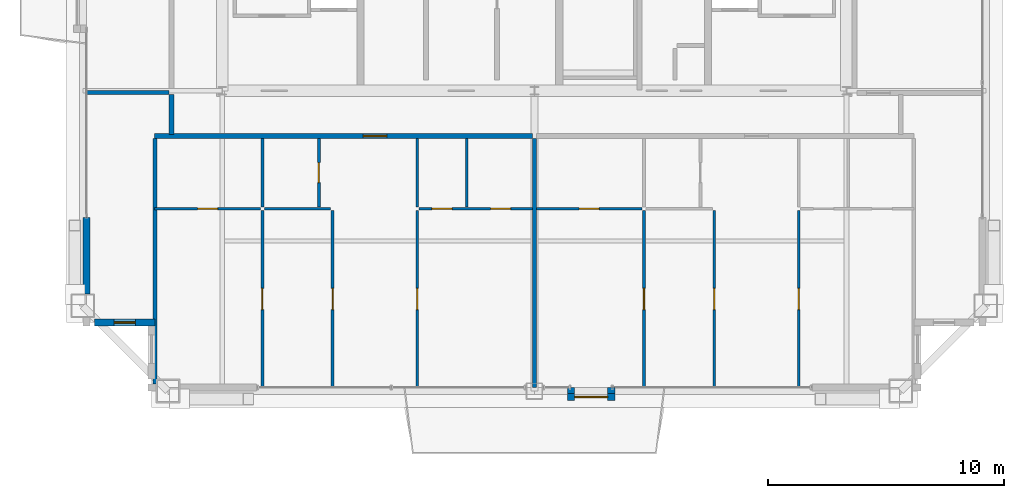
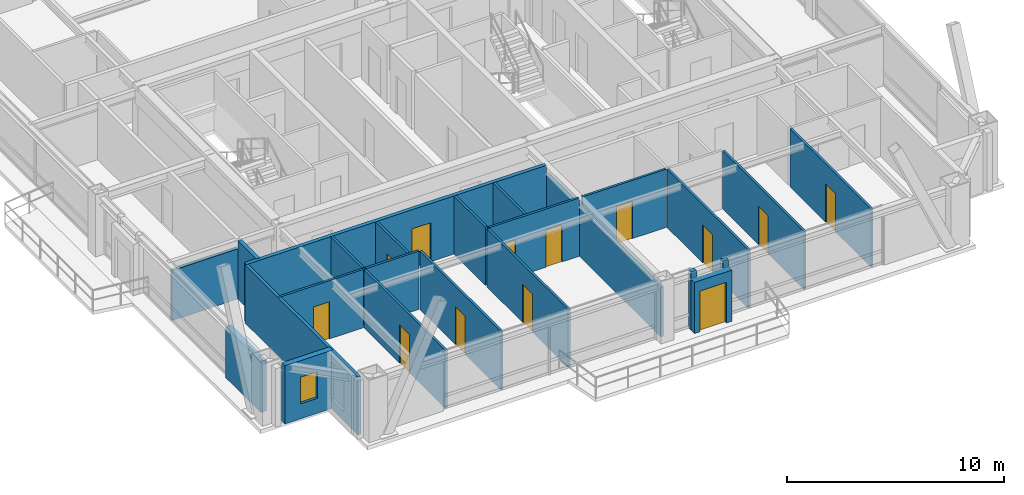
# One storey, part 28 of 33: 24 walls, 13 doors, 1 window, 14 openings.
"""IFC4 building model written with IfcOpenShell, lengths in metres."""

from ifc_helpers import new_model, si_unit, direction, frame, frame_2d, origin, place, context, subcontext, project, spatial, rectangle, extrude, source, transform, mapped, material, layer, layer_set, type_object, element, fill, save


model = new_model("IFC4")

# Units and contexts
model_context = context("Model", 3, precision=1e-05, world=origin(), true_north=direction((0.0, 1.0)))
body_context = subcontext(model_context, "Body", "Model", "MODEL_VIEW")
ifc_project = project(units=[si_unit("LENGTHUNIT", "METRE"), si_unit("AREAUNIT", "SQUARE_METRE"), si_unit("VOLUMEUNIT", "CUBIC_METRE"), si_unit("PLANEANGLEUNIT", "RADIAN"), si_unit("MASSUNIT", "GRAM", prefix="KILO"), si_unit("THERMODYNAMICTEMPERATUREUNIT", "KELVIN"), si_unit("POWERUNIT", "WATT")], contexts=[model_context])

# Site, building, storey
site_placement = place(None, origin())
site = spatial("IfcSite", under=ifc_project, at=site_placement, CompositionType="ELEMENT")
building_placement = place(site_placement, origin())
building = spatial("IfcBuilding", under=site, at=building_placement, Name="Yuzanri Waterfront Tower", CompositionType="ELEMENT")
storey_placement = place(building_placement, frame((0.0, 0.0, 321.699951171875)))
storey = spatial("IfcBuildingStorey", under=building, at=storey_placement, Name="L86", CompositionType="ELEMENT", Elevation=321.699951171875)

# Wall, opening, door
ifc_material_1 = material(Name="Moisture-Resistant Gypsum Stud Wall", Category="gypsum")
ifc_layer_1 = layer(ifc_material_1, 0.1201171875)
ifc_layer_set_1 = layer_set([ifc_layer_1], Name="Moisture-Resistant Gypsum Stud Wall")
wall_type_1 = type_object("IfcWallType", Name="Bathroom and Kitchen Wet Partition 120", PredefinedType="PARTITIONING", material=ifc_layer_set_1)
wall_1_placement = place(storey_placement, frame((20.93994140625, 14.409912109375, 0.0), z_axis=(0.0, 0.0, 1.0), x_axis=(1.0, 0.0, 0.0)))
wall_1 = element("IfcWall", 1, at=wall_1_placement, inside=storey, type_object=wall_type_1, Name="L86 Partition UW-L86-HS1-SUB-1-S", PredefinedType="PARTITIONING", context=body_context, shape_type="SweptSolid", body=[
    extrude(rectangle(XDim=4.47412109375, YDim=0.1201171875, at=frame_2d((2.237060546875, 0.0))), origin(), (0.0, 0.0, 1.0), 3.280029296875),
])
opening_1_placement = place(wall_1_placement, frame((1.81201171875, 0.0, 0.0)))
opening_1 = element("IfcOpeningElement", 2, at=opening_1_placement, cuts=wall_1, Name="Opening ID-0850", PredefinedType="OPENING", context=body_context, shape_type="SweptSolid", body=[
    extrude(rectangle(XDim=0.85009765625, YDim=2.10009765625, at=frame_2d((0.425048828125, 1.050048828125))), frame((0.0, 0.074951171875, 0.0), z_axis=(0.0, -1.0, 0.0), x_axis=(1.0, 0.0, 0.0)), (0.0, 0.0, 1.0), 0.14990234375),
])
ifc_material_2 = material(Name="Moisture-Resistant Lacquered Timber", Category="wood")
door_type_1 = type_object("IfcDoorType", Name="En-Suite Bathroom and Kitchen Swing Door 850x2100", OperationType="NOTDEFINED", PredefinedType="DOOR", material=ifc_material_2)
shared_shape_1 = source(origin(), body_context, "Body", "SweptSolid", [
    extrude(rectangle(XDim=0.85009765625, YDim=2.10009765625, at=frame_2d((0.425048828125, 1.050048828125))), frame((0.0, 0.02490234375, 0.0), z_axis=(0.0, -1.0, 0.0), x_axis=(1.0, 0.0, 0.0)), (0.0, 0.0, 1.0), 0.050048828125),
])
door_1_placement = place(opening_1_placement, origin())
door_1 = element("IfcDoor", 3, at=door_1_placement, inside=storey, type_object=door_type_1, Name="L86 Suite Interior Room Door", OperationType="SINGLE_SWING_LEFT", OverallHeight=2.10009765625, OverallWidth=0.85009765625, PredefinedType="DOOR", context=body_context, shape_type="MappedRepresentation", body=[
    mapped(shared_shape_1, transform((0.0, 0.0, 0.0), scale=1.0)),
])
fill(opening_1, door_1)

wall_2_placement = place(storey_placement, frame((27.882080078125, 14.489990234375, 0.0), z_axis=(0.0, 0.0, 1.0), x_axis=(0.0, 1.0, 0.0)))
wall_2 = element("IfcWall", 4, at=wall_2_placement, inside=storey, type_object=wall_type_1, Name="L86 Partition UW-L86-HS1-SUB-2-E", PredefinedType="PARTITIONING", context=body_context, shape_type="SweptSolid", body=[
    extrude(rectangle(XDim=2.89990234375, YDim=0.1201171875, at=frame_2d((1.449951171875, 0.0))), origin(), (0.0, 0.0, 1.0), 3.280029296875),
])
opening_2_placement = place(wall_2_placement, frame((1.02490234375, 0.0, 0.0)))
opening_2 = element("IfcOpeningElement", 5, at=opening_2_placement, cuts=wall_2, Name="Opening ID-0850", PredefinedType="OPENING", context=body_context, shape_type="SweptSolid", body=[
    extrude(rectangle(XDim=0.85009765625, YDim=2.10009765625, at=frame_2d((0.425048828125, 1.050048828125))), frame((0.0, 0.074951171875, 0.0), z_axis=(0.0, -1.0, 0.0), x_axis=(1.0, 0.0, 0.0)), (0.0, 0.0, 1.0), 0.14990234375),
])
door_2_placement = place(opening_2_placement, origin())
door_2 = element("IfcDoor", 6, at=door_2_placement, inside=storey, type_object=door_type_1, Name="L86 Suite Interior Room Door", OperationType="SINGLE_SWING_RIGHT", OverallHeight=2.10009765625, OverallWidth=0.85009765625, PredefinedType="DOOR", context=body_context, shape_type="MappedRepresentation", body=[
    mapped(shared_shape_1, transform((0.0, 0.0, 0.0), scale=1.0)),
])
fill(opening_2, door_2)

wall_3_placement = place(storey_placement, frame((25.493896484375, 6.85009765625, 0.0), z_axis=(0.0, 0.0, 1.0), x_axis=(0.0, 1.0, 0.0)))
wall_3 = element("IfcWall", 7, at=wall_3_placement, inside=storey, type_object=wall_type_1, Name="L86 Partition UW-L86-HS1-SUB-5-E", PredefinedType="PARTITIONING", context=body_context, shape_type="SweptSolid", body=[
    extrude(rectangle(XDim=7.47998046875, YDim=0.1201171875, at=frame_2d((3.739990234375, 0.0))), origin(), (0.0, 0.0, 1.0), 3.280029296875),
])
opening_3_placement = place(wall_3_placement, frame((3.2900390625, 0.0, 0.0)))
opening_3 = element("IfcOpeningElement", 8, at=opening_3_placement, cuts=wall_3, Name="Opening ID-0900", PredefinedType="OPENING", context=body_context, shape_type="SweptSolid", body=[
    extrude(rectangle(XDim=0.89990234375, YDim=2.14990234375, at=frame_2d((0.449951171875, 1.074951171875))), frame((0.0, 0.074951171875, 0.0), z_axis=(0.0, -1.0, 0.0), x_axis=(1.0, 0.0, 0.0)), (0.0, 0.0, 1.0), 0.14990234375),
])
ifc_material_3 = material(Name="Stained Walnut Veneer Timber", Category="wood")
door_type_2 = type_object("IfcDoorType", Name="Bedroom and Study Interior Swing Door 900x2150", OperationType="NOTDEFINED", PredefinedType="DOOR", material=ifc_material_3)
shared_shape_2 = source(origin(), body_context, "Body", "SweptSolid", [
    extrude(rectangle(XDim=0.89990234375, YDim=2.14990234375, at=frame_2d((0.449951171875, 1.074951171875))), frame((0.0, 0.02490234375, 0.0), z_axis=(0.0, -1.0, 0.0), x_axis=(1.0, 0.0, 0.0)), (0.0, 0.0, 1.0), 0.050048828125),
])
door_3_placement = place(opening_3_placement, origin())
door_3 = element("IfcDoor", 9, at=door_3_placement, inside=storey, type_object=door_type_2, Name="L86 Suite Interior Room Door", OperationType="SINGLE_SWING_LEFT", OverallHeight=2.14990234375, OverallWidth=0.89990234375, PredefinedType="DOOR", context=body_context, shape_type="MappedRepresentation", body=[
    mapped(shared_shape_2, transform((0.0, 0.0, 0.0), scale=1.0)),
])
fill(opening_3, door_3)

# Wall, openings, doors
wall_4_placement = place(storey_placement, frame((32.1259765625, 14.409912109375, 0.0), z_axis=(0.0, 0.0, 1.0), x_axis=(1.0, 0.0, 0.0)))
wall_4 = element("IfcWall", 10, at=wall_4_placement, inside=storey, type_object=wall_type_1, Name="L86 Partition UW-L86-HS1-SUB-6-N", PredefinedType="PARTITIONING", context=body_context, shape_type="SweptSolid", body=[
    extrude(rectangle(XDim=4.7939453125, YDim=0.1201171875, at=frame_2d((2.39697265625, 0.0))), origin(), (0.0, 0.0, 1.0), 3.280029296875),
])
opening_4_placement = place(wall_4_placement, frame((3.01904296875, 0.0, 0.0)))
opening_4 = element("IfcOpeningElement", 11, at=opening_4_placement, cuts=wall_4, Name="Opening ID-0850", PredefinedType="OPENING", context=body_context, shape_type="SweptSolid", body=[
    extrude(rectangle(XDim=0.85009765625, YDim=2.10009765625, at=frame_2d((0.425048828125, 1.050048828125))), frame((0.0, 0.074951171875, 0.0), z_axis=(0.0, -1.0, 0.0), x_axis=(1.0, 0.0, 0.0)), (0.0, 0.0, 1.0), 0.14990234375),
])
opening_5_placement = place(wall_4_placement, frame((0.5419921875, 0.0, 0.0)))
opening_5 = element("IfcOpeningElement", 12, at=opening_5_placement, cuts=wall_4, Name="Opening ID-0850", PredefinedType="OPENING", context=body_context, shape_type="SweptSolid", body=[
    extrude(rectangle(XDim=0.85009765625, YDim=2.10009765625, at=frame_2d((0.425048828125, 1.050048828125))), frame((0.0, 0.074951171875, 0.0), z_axis=(0.0, -1.0, 0.0), x_axis=(1.0, 0.0, 0.0)), (0.0, 0.0, 1.0), 0.14990234375),
])
door_4_placement = place(opening_4_placement, origin())
door_4 = element("IfcDoor", 13, at=door_4_placement, inside=storey, type_object=door_type_1, Name="L86 Suite Interior Room Door", OperationType="SINGLE_SWING_LEFT", OverallHeight=2.10009765625, OverallWidth=0.85009765625, PredefinedType="DOOR", context=body_context, shape_type="MappedRepresentation", body=[
    mapped(shared_shape_1, transform((0.0, 0.0, 0.0), scale=1.0)),
])
fill(opening_4, door_4)
door_5_placement = place(opening_5_placement, origin())
door_5 = element("IfcDoor", 14, at=door_5_placement, inside=storey, type_object=door_type_1, Name="L86 Suite Interior Room Door", OperationType="SINGLE_SWING_RIGHT", OverallHeight=2.10009765625, OverallWidth=0.85009765625, PredefinedType="DOOR", context=body_context, shape_type="MappedRepresentation", body=[
    mapped(shared_shape_1, transform((0.0, 0.0, 0.0), scale=1.0)),
])
fill(opening_5, door_5)

# Wall, opening, door
wall_5_placement = place(storey_placement, frame((32.0458984375, 6.85009765625, 0.0), z_axis=(0.0, 0.0, 1.0), x_axis=(0.0, 1.0, 0.0)))
wall_5 = element("IfcWall", 15, at=wall_5_placement, inside=storey, type_object=wall_type_1, Name="L86 Partition UW-L86-HS1-SUB-6-W", PredefinedType="PARTITIONING", context=body_context, shape_type="SweptSolid", body=[
    extrude(rectangle(XDim=7.47998046875, YDim=0.1201171875, at=frame_2d((3.739990234375, 0.0))), origin(), (0.0, 0.0, 1.0), 3.280029296875),
])
opening_6_placement = place(wall_5_placement, frame((3.2900390625, 0.0, 0.0)))
opening_6 = element("IfcOpeningElement", 16, at=opening_6_placement, cuts=wall_5, Name="Opening ID-0900", PredefinedType="OPENING", context=body_context, shape_type="SweptSolid", body=[
    extrude(rectangle(XDim=0.89990234375, YDim=2.14990234375, at=frame_2d((0.449951171875, 1.074951171875))), frame((0.0, 0.074951171875, 0.0), z_axis=(0.0, -1.0, 0.0), x_axis=(1.0, 0.0, 0.0)), (0.0, 0.0, 1.0), 0.14990234375),
])
door_6_placement = place(opening_6_placement, origin())
door_6 = element("IfcDoor", 17, at=door_6_placement, inside=storey, type_object=door_type_2, Name="L86 Suite Interior Room Door", OperationType="SINGLE_SWING_RIGHT", OverallHeight=2.14990234375, OverallWidth=0.89990234375, PredefinedType="DOOR", context=body_context, shape_type="MappedRepresentation", body=[
    mapped(shared_shape_2, transform((0.0, 0.0, 0.0), scale=1.0)),
])
fill(opening_6, door_6)

wall_6_placement = place(storey_placement, frame((28.466064453125, 6.85009765625, 0.0), z_axis=(0.0, 0.0, 1.0), x_axis=(0.0, 1.0, 0.0)))
wall_6 = element("IfcWall", 18, at=wall_6_placement, inside=storey, type_object=wall_type_1, Name="L86 Partition UW-L86-HS1-SUB-7-E", PredefinedType="PARTITIONING", context=body_context, shape_type="SweptSolid", body=[
    extrude(rectangle(XDim=7.47998046875, YDim=0.1201171875, at=frame_2d((3.739990234375, 0.0))), origin(), (0.0, 0.0, 1.0), 3.280029296875),
])
opening_7_placement = place(wall_6_placement, frame((3.2900390625, 0.0, 0.0)))
opening_7 = element("IfcOpeningElement", 19, at=opening_7_placement, cuts=wall_6, Name="Opening ID-0900", PredefinedType="OPENING", context=body_context, shape_type="SweptSolid", body=[
    extrude(rectangle(XDim=0.89990234375, YDim=2.14990234375, at=frame_2d((0.449951171875, 1.074951171875))), frame((0.0, 0.074951171875, 0.0), z_axis=(0.0, -1.0, 0.0), x_axis=(1.0, 0.0, 0.0)), (0.0, 0.0, 1.0), 0.14990234375),
])
door_7_placement = place(opening_7_placement, origin())
door_7 = element("IfcDoor", 20, at=door_7_placement, inside=storey, type_object=door_type_2, Name="L86 Suite Interior Room Door", OperationType="SINGLE_SWING_LEFT", OverallHeight=2.14990234375, OverallWidth=0.89990234375, PredefinedType="DOOR", context=body_context, shape_type="MappedRepresentation", body=[
    mapped(shared_shape_2, transform((0.0, 0.0, 0.0), scale=1.0)),
])
fill(opening_7, door_7)

wall_7_placement = place(storey_placement, frame((37.080078125, 14.409912109375, 0.0), z_axis=(0.0, 0.0, 1.0), x_axis=(1.0, 0.0, 0.0)))
wall_7 = element("IfcWall", 21, at=wall_7_placement, inside=storey, type_object=wall_type_1, Name="L86 Partition UW-L86-HS2-SUB-1-S", PredefinedType="PARTITIONING", context=body_context, shape_type="SweptSolid", body=[
    extrude(rectangle(XDim=4.473876953125, YDim=0.1201171875, at=frame_2d((2.23681640625, 0.0))), origin(), (0.0, 0.0, 1.0), 3.280029296875),
])
opening_8_placement = place(wall_7_placement, frame((1.81201171875, 0.0, 0.0)))
opening_8 = element("IfcOpeningElement", 22, at=opening_8_placement, cuts=wall_7, Name="Opening ID-0850", PredefinedType="OPENING", context=body_context, shape_type="SweptSolid", body=[
    extrude(rectangle(XDim=0.85009765625, YDim=2.10009765625, at=frame_2d((0.425048828125, 1.050048828125))), frame((0.0, 0.074951171875, 0.0), z_axis=(0.0, -1.0, 0.0), x_axis=(1.0, 0.0, 0.0)), (0.0, 0.0, 1.0), 0.14990234375),
])
door_8_placement = place(opening_8_placement, origin())
door_8 = element("IfcDoor", 23, at=door_8_placement, inside=storey, type_object=door_type_1, Name="L86 Suite Interior Room Door", OperationType="SINGLE_SWING_LEFT", OverallHeight=2.10009765625, OverallWidth=0.85009765625, PredefinedType="DOOR", context=body_context, shape_type="MappedRepresentation", body=[
    mapped(shared_shape_1, transform((0.0, 0.0, 0.0), scale=1.0)),
])
fill(opening_8, door_8)

wall_8_placement = place(storey_placement, frame((41.634033203125, 6.85009765625, 0.0), z_axis=(0.0, 0.0, 1.0), x_axis=(0.0, 1.0, 0.0)))
wall_8 = element("IfcWall", 24, at=wall_8_placement, inside=storey, type_object=wall_type_1, Name="L86 Partition UW-L86-HS2-SUB-5-E", PredefinedType="PARTITIONING", context=body_context, shape_type="SweptSolid", body=[
    extrude(rectangle(XDim=7.47998046875, YDim=0.1201171875, at=frame_2d((3.739990234375, 0.0))), origin(), (0.0, 0.0, 1.0), 3.280029296875),
])
opening_9_placement = place(wall_8_placement, frame((3.2900390625, 0.0, 0.0)))
opening_9 = element("IfcOpeningElement", 25, at=opening_9_placement, cuts=wall_8, Name="Opening ID-0900", PredefinedType="OPENING", context=body_context, shape_type="SweptSolid", body=[
    extrude(rectangle(XDim=0.89990234375, YDim=2.14990234375, at=frame_2d((0.449951171875, 1.074951171875))), frame((0.0, 0.074951171875, 0.0), z_axis=(0.0, -1.0, 0.0), x_axis=(1.0, 0.0, 0.0)), (0.0, 0.0, 1.0), 0.14990234375),
])
door_9_placement = place(opening_9_placement, origin())
door_9 = element("IfcDoor", 26, at=door_9_placement, inside=storey, type_object=door_type_2, Name="L86 Suite Interior Room Door", OperationType="SINGLE_SWING_LEFT", OverallHeight=2.14990234375, OverallWidth=0.89990234375, PredefinedType="DOOR", context=body_context, shape_type="MappedRepresentation", body=[
    mapped(shared_shape_2, transform((0.0, 0.0, 0.0), scale=1.0)),
])
fill(opening_9, door_9)

wall_9_placement = place(storey_placement, frame((48.18603515625, 6.85009765625, 0.0), z_axis=(0.0, 0.0, 1.0), x_axis=(0.0, 1.0, 0.0)))
wall_9 = element("IfcWall", 27, at=wall_9_placement, inside=storey, type_object=wall_type_1, Name="L86 Partition UW-L86-HS2-SUB-6-W", PredefinedType="PARTITIONING", context=body_context, shape_type="SweptSolid", body=[
    extrude(rectangle(XDim=7.47998046875, YDim=0.1201171875, at=frame_2d((3.739990234375, 0.0))), origin(), (0.0, 0.0, 1.0), 3.280029296875),
])
opening_10_placement = place(wall_9_placement, frame((3.2900390625, 0.0, 0.0)))
opening_10 = element("IfcOpeningElement", 28, at=opening_10_placement, cuts=wall_9, Name="Opening ID-0900", PredefinedType="OPENING", context=body_context, shape_type="SweptSolid", body=[
    extrude(rectangle(XDim=0.89990234375, YDim=2.14990234375, at=frame_2d((0.449951171875, 1.074951171875))), frame((0.0, 0.074951171875, 0.0), z_axis=(0.0, -1.0, 0.0), x_axis=(1.0, 0.0, 0.0)), (0.0, 0.0, 1.0), 0.14990234375),
])
door_10_placement = place(opening_10_placement, origin())
door_10 = element("IfcDoor", 29, at=door_10_placement, inside=storey, type_object=door_type_2, Name="L86 Suite Interior Room Door", OperationType="SINGLE_SWING_RIGHT", OverallHeight=2.14990234375, OverallWidth=0.89990234375, PredefinedType="DOOR", context=body_context, shape_type="MappedRepresentation", body=[
    mapped(shared_shape_2, transform((0.0, 0.0, 0.0), scale=1.0)),
])
fill(opening_10, door_10)

wall_10_placement = place(storey_placement, frame((44.60595703125, 6.85009765625, 0.0), z_axis=(0.0, 0.0, 1.0), x_axis=(0.0, 1.0, 0.0)))
wall_10 = element("IfcWall", 30, at=wall_10_placement, inside=storey, type_object=wall_type_1, Name="L86 Partition UW-L86-HS2-SUB-7-E", PredefinedType="PARTITIONING", context=body_context, shape_type="SweptSolid", body=[
    extrude(rectangle(XDim=7.47998046875, YDim=0.1201171875, at=frame_2d((3.739990234375, 0.0))), origin(), (0.0, 0.0, 1.0), 3.280029296875),
])
opening_11_placement = place(wall_10_placement, frame((3.2900390625, 0.0, 0.0)))
opening_11 = element("IfcOpeningElement", 31, at=opening_11_placement, cuts=wall_10, Name="Opening ID-0900", PredefinedType="OPENING", context=body_context, shape_type="SweptSolid", body=[
    extrude(rectangle(XDim=0.89990234375, YDim=2.14990234375, at=frame_2d((0.449951171875, 1.074951171875))), frame((0.0, 0.074951171875, 0.0), z_axis=(0.0, -1.0, 0.0), x_axis=(1.0, 0.0, 0.0)), (0.0, 0.0, 1.0), 0.14990234375),
])
door_11_placement = place(opening_11_placement, origin())
door_11 = element("IfcDoor", 32, at=door_11_placement, inside=storey, type_object=door_type_2, Name="L86 Suite Interior Room Door", OperationType="SINGLE_SWING_LEFT", OverallHeight=2.14990234375, OverallWidth=0.89990234375, PredefinedType="DOOR", context=body_context, shape_type="MappedRepresentation", body=[
    mapped(shared_shape_2, transform((0.0, 0.0, 0.0), scale=1.0)),
])
fill(opening_11, door_11)

# Wall, opening, window
ifc_material_4 = material(Name="Honed Chongqing Dark Basalt Stone", Category="masonry")
ifc_layer_2 = layer(ifc_material_4, 0.300048828125)
ifc_layer_set_2 = layer_set([ifc_layer_2], Name="Honed Chongqing Dark Basalt Stone")
wall_type_2 = type_object("IfcWallType", Name="Bronze Rainscreen Insulated Spandrel Portal Wall 300", PredefinedType="SOLIDWALL", material=ifc_layer_set_2)
wall_11_placement = place(storey_placement, frame((18.39990234375, 9.60009765625, 0.0), z_axis=(0.0, 0.0, 1.0), x_axis=(1.0, 0.0, 0.0)))
wall_11 = element("IfcWall", 33, at=wall_11_placement, inside=storey, type_object=wall_type_2, Name="L86 Notched Corner Masonry Wall SW-X", PredefinedType="SOLIDWALL", context=body_context, shape_type="SweptSolid", body=[
    extrude(rectangle(XDim=2.550048828125, YDim=0.300048828125, at=frame_2d((1.27490234375, 0.0))), origin(), (0.0, 0.0, 1.0), 3.280029296875),
])
opening_12_placement = place(wall_11_placement, frame((0.824951171875, 0.0, 0.85009765625)))
opening_12 = element("IfcOpeningElement", 34, at=opening_12_placement, cuts=wall_11, Name="Opening WN-05", PredefinedType="OPENING", context=body_context, shape_type="SweptSolid", body=[
    extrude(rectangle(XDim=0.89990234375, YDim=1.5, at=frame_2d((0.449951171875, 0.75))), frame((0.0, 0.1650390625, 0.0), z_axis=(0.0, -1.0, 0.0), x_axis=(1.0, 0.0, 0.0)), (0.0, 0.0, 1.0), 0.329833984375),
])
ifc_material_5 = material(Name="Double-Silver Low-E Insulated Glass", Category="glass")
window_type = type_object("IfcWindowType", Name="Anodized Bronze Service and Stairwell Smoke-Vent Window 900x1500", PartitioningType="SINGLE_PANEL", PredefinedType="WINDOW", material=ifc_material_5)
shared_shape_3 = source(origin(), body_context, "Body", "SweptSolid", [
    extrude(rectangle(XDim=0.89990234375, YDim=1.5, at=frame_2d((0.449951171875, 0.75))), frame((0.0, 0.030029296875, 0.0), z_axis=(0.0, -1.0, 0.0), x_axis=(1.0, 0.0, 0.0)), (0.0, 0.0, 1.0), 0.06005859375),
])
window_placement = place(opening_12_placement, origin())
window = element("IfcWindow", 35, at=window_placement, inside=storey, type_object=window_type, Name="L86 Notched Corner Window SW-X", OverallHeight=1.5, OverallWidth=0.89990234375, PartitioningType="SINGLE_PANEL", PredefinedType="WINDOW", context=body_context, shape_type="MappedRepresentation", body=[
    mapped(shared_shape_3, transform((0.0, 0.0, 0.0), scale=1.0)),
])
fill(opening_12, window)

# Wall, opening, door
wall_12_placement = place(storey_placement, frame((38.39990234375, 6.449951171875, 0.0), z_axis=(0.0, 0.0, 1.0), x_axis=(1.0, 0.0, 0.0)))
wall_12 = element("IfcWall", 36, at=wall_12_placement, inside=storey, type_object=wall_type_2, Name="L86 S Terrace Door Portal Wall", PredefinedType="SOLIDWALL", context=body_context, shape_type="SweptSolid", body=[
    extrude(rectangle(XDim=2.0, YDim=0.300048828125, at=frame_2d((1.0, 0.0))), origin(), (0.0, 0.0, 1.0), 2.885009765625),
])
opening_13_placement = place(wall_12_placement, frame((0.300048828125, 0.0, 0.0)))
opening_13 = element("IfcOpeningElement", 37, at=opening_13_placement, cuts=wall_12, Name="Opening TD-1400", PredefinedType="OPENING", context=body_context, shape_type="SweptSolid", body=[
    extrude(rectangle(XDim=1.39990234375, YDim=2.300048828125, at=frame_2d((0.699951171875, 1.14990234375))), frame((0.0, 0.1650390625, 0.0), z_axis=(0.0, -1.0, 0.0), x_axis=(1.0, 0.0, 0.0)), (0.0, 0.0, 1.0), 0.329833984375),
])
ifc_material_6 = material(Name="Anodized Architectural Bronze", Category="metal")
door_type_3 = type_object("IfcDoorType", Name="Anodized Bronze Balcony and Terrace Glazed Double Door 1400x2300", OperationType="NOTDEFINED", PredefinedType="DOOR", material=ifc_material_6)
shared_shape_4 = source(origin(), body_context, "Body", "SweptSolid", [
    extrude(rectangle(XDim=1.39990234375, YDim=2.300048828125, at=frame_2d((0.699951171875, 1.14990234375))), frame((0.0, 0.02490234375, 0.0), z_axis=(0.0, -1.0, 0.0), x_axis=(1.0, 0.0, 0.0)), (0.0, 0.0, 1.0), 0.050048828125),
])
door_12_placement = place(opening_13_placement, origin())
door_12 = element("IfcDoor", 38, at=door_12_placement, inside=storey, type_object=door_type_3, Name="L86 S Terrace Glazed Double Door", OperationType="DOUBLE_DOOR_SINGLE_SWING", OverallHeight=2.300048828125, OverallWidth=1.39990234375, PredefinedType="DOOR", context=body_context, shape_type="MappedRepresentation", body=[
    mapped(shared_shape_4, transform((0.0, 0.0, 0.0), scale=1.0)),
])
fill(opening_13, door_12)

ifc_material_7 = material(Name="Autoclaved Aerated Concrete Blockwork", Category="masonry")
ifc_layer_3 = layer(ifc_material_7, 0.199951171875)
ifc_layer_set_3 = layer_set([ifc_layer_3], Name="Autoclaved Aerated Concrete Blockwork")
wall_type_3 = type_object("IfcWallType", Name="Corridor and Unit Party Fire Wall 200", PredefinedType="PARTITIONING", material=ifc_layer_set_3)
wall_13_placement = place(storey_placement, frame((20.93994140625, 17.489990234375, 0.0), z_axis=(0.0, 0.0, 1.0), x_axis=(1.0, 0.0, 0.0)))
wall_13 = element("IfcWall", 39, at=wall_13_placement, inside=storey, type_object=wall_type_3, Name="L86 Partition UW-L86-HS1-CN", PredefinedType="PARTITIONING", context=body_context, shape_type="SweptSolid", body=[
    extrude(rectangle(XDim=15.97998046875, YDim=0.199951171875, at=frame_2d((7.989990234375, 0.0))), origin(), (0.0, 0.0, 1.0), 3.280029296875),
])
opening_14_placement = place(wall_13_placement, frame((8.81591796875, 0.0, 0.0)))
opening_14 = element("IfcOpeningElement", 40, at=opening_14_placement, cuts=wall_13, Name="Opening FD-1000", PredefinedType="OPENING", context=body_context, shape_type="SweptSolid", body=[
    extrude(rectangle(XDim=1.0, YDim=2.199951171875, at=frame_2d((0.5, 1.10009765625))), frame((0.0, 0.11474609375, 0.0), z_axis=(0.0, -1.0, 0.0), x_axis=(1.0, 0.0, 0.0)), (0.0, 0.0, 1.0), 0.229736328125),
])
ifc_material_8 = material(Name="Engineered Oak Fire-Rated Timber", Category="wood")
door_type_4 = type_object("IfcDoorType", Name="Guestroom and Apartment Entrance Fire Door 1000x2200", OperationType="NOTDEFINED", PredefinedType="DOOR", material=ifc_material_8)
shared_shape_5 = source(origin(), body_context, "Body", "SweptSolid", [
    extrude(rectangle(XDim=1.0, YDim=2.199951171875, at=frame_2d((0.5, 1.10009765625))), frame((0.0, 0.02490234375, 0.0), z_axis=(0.0, -1.0, 0.0), x_axis=(1.0, 0.0, 0.0)), (0.0, 0.0, 1.0), 0.050048828125),
])
door_13_placement = place(opening_14_placement, origin())
door_13 = element("IfcDoor", 41, at=door_13_placement, inside=storey, type_object=door_type_4, Name="L86 Apartment Living and Dining Salon Entrance Door", OperationType="SINGLE_SWING_RIGHT", OverallHeight=2.199951171875, OverallWidth=1.0, PredefinedType="DOOR", context=body_context, shape_type="MappedRepresentation", body=[
    mapped(shared_shape_5, transform((0.0, 0.0, 0.0), scale=1.0)),
])
fill(opening_14, door_13)

# Walls
shared_shape_6 = source(origin(), body_context, "Body", "SweptSolid", [
    extrude(rectangle(XDim=0.25, YDim=0.300048828125, at=frame_2d((0.125, 0.0))), origin(), (0.0, 0.0, 1.0), 3.280029296875),
])
for number, where, z_axis, x_axis, name in (
    (42, (38.550048828125, 6.85009765625, 0.0), (0.0, 0.0, 1.0), (0.0, -1.0, 0.0), "L86 S Terrace Portal Left Return"),
    (43, (40.25, 6.60009765625, 0.0), (0.0, 0.0, 1.0), (0.0, 1.0, 0.0), "L86 S Terrace Portal Right Return"),
):
    element("IfcWall", number, at=place(storey_placement, frame(where, z_axis=z_axis, x_axis=x_axis)), inside=storey, type_object=wall_type_2, Name=name, PredefinedType="SOLIDWALL", context=body_context, shape_type="MappedRepresentation", body=[
        mapped(shared_shape_6, transform((0.0, 0.0, 0.0), scale=1.0)),
    ])
shared_shape_7 = source(origin(), body_context, "Body", "SweptSolid", [
    extrude(rectangle(XDim=3.25, YDim=0.300048828125, at=frame_2d((1.625, 0.0))), origin(), (0.0, 0.0, 1.0), 2.885009765625),
])
wall_14_placement = place(storey_placement, frame((18.050048828125, 10.800048828125, 0.0), z_axis=(0.0, 0.0, 1.0), x_axis=(0.0, 1.0, 0.0)))
element("IfcWall", 44, at=wall_14_placement, inside=storey, type_object=wall_type_2, Name="L86 W Left Braced Masonry Shoulder", PredefinedType="SOLIDWALL", context=body_context, shape_type="MappedRepresentation", body=[
    mapped(shared_shape_7, transform((0.0, 0.0, 0.0), scale=1.0)),
])
ifc_material_9 = material(Name="Gypsum Fireboard Acoustic Stud Wall", Category="gypsum")
ifc_layer_4 = layer(ifc_material_9, 0.159912109375)
ifc_layer_set_4 = layer_set([ifc_layer_4], Name="Gypsum Fireboard Acoustic Stud Wall")
wall_type_4 = type_object("IfcWallType", Name="Acoustic Suite Demising Partition 160", PredefinedType="PARTITIONING", material=ifc_layer_set_4)
shared_shape_8 = source(origin(), body_context, "Body", "SweptSolid", [
    extrude(rectangle(XDim=3.5, YDim=0.159912109375, at=frame_2d((1.75, 0.0))), origin(), (0.0, 0.0, 1.0), 2.824951171875),
])
wall_15_placement = place(storey_placement, frame((18.050048828125, 19.330078125, 0.0), z_axis=(0.0, 0.0, 1.0), x_axis=(1.0, 0.0, 0.0)))
element("IfcWall", 45, at=wall_15_placement, inside=storey, type_object=wall_type_4, Name="L86-041 Wing South End Wall", PredefinedType="PARTITIONING", context=body_context, shape_type="MappedRepresentation", body=[
    mapped(shared_shape_8, transform((0.0, 0.0, 0.0), scale=1.0)),
])
shared_shape_9 = source(origin(), body_context, "Body", "SweptSolid", [
    extrude(rectangle(XDim=1.699951171875, YDim=0.199951171875, at=frame_2d((0.85009765625, 0.0))), origin(), (0.0, 0.0, 1.0), 3.280029296875),
])
wall_16_placement = place(storey_placement, frame((21.64990234375, 17.550048828125, 0.0), z_axis=(0.0, 0.0, 1.0), x_axis=(0.0, 1.0, 0.0)))
element("IfcWall", 46, at=wall_16_placement, inside=storey, type_object=wall_type_3, Name="L86 South Foyer West End Wall", PredefinedType="PARTITIONING", context=body_context, shape_type="MappedRepresentation", body=[
    mapped(shared_shape_9, transform((0.0, 0.0, 0.0), scale=1.0)),
])
shared_shape_10 = source(origin(), body_context, "Body", "SweptSolid", [
    extrude(rectangle(XDim=2.89990234375, YDim=0.1201171875, at=frame_2d((1.449951171875, 0.0))), origin(), (0.0, 0.0, 1.0), 3.280029296875),
])
for number, where, z_axis, x_axis, name in (
    (47, (25.493896484375, 14.489990234375, 0.0), (0.0, 0.0, 1.0), (0.0, 1.0, 0.0), "L86 Partition UW-L86-HS1-SUB-1-E"),
    (48, (34.139892578125, 14.489990234375, 0.0), (0.0, 0.0, 1.0), (0.0, 1.0, 0.0), "L86 Partition UW-L86-HS1-SUB-3-W"),
    (49, (32.0458984375, 14.489990234375, 0.0), (0.0, 0.0, 1.0), (0.0, 1.0, 0.0), "L86 Partition UW-L86-HS1-SUB-4-W"),
):
    element("IfcWall", number, at=place(storey_placement, frame(where, z_axis=z_axis, x_axis=x_axis)), inside=storey, type_object=wall_type_1, Name=name, PredefinedType="PARTITIONING", context=body_context, shape_type="MappedRepresentation", body=[
        mapped(shared_shape_10, transform((0.0, 0.0, 0.0), scale=1.0)),
    ])
shared_shape_11 = source(origin(), body_context, "Body", "SweptSolid", [
    extrude(rectangle(XDim=10.389892578125, YDim=0.159912109375, at=frame_2d((5.19482421875, 0.0))), origin(), (0.0, 0.0, 1.0), 3.280029296875),
])
wall_17_placement = place(storey_placement, frame((20.949951171875, 7.0, 0.0), z_axis=(0.0, 0.0, 1.0), x_axis=(0.0, 1.0, 0.0)))
element("IfcWall", 50, at=wall_17_placement, inside=storey, type_object=wall_type_4, Name="L86 South Band West End Wall", PredefinedType="PARTITIONING", context=body_context, shape_type="MappedRepresentation", body=[
    mapped(shared_shape_11, transform((0.0, 0.0, 0.0), scale=1.0)),
])
shared_shape_12 = source(origin(), body_context, "Body", "SweptSolid", [
    extrude(rectangle(XDim=10.539794921875, YDim=0.159912109375, at=frame_2d((5.27001953125, 0.0))), origin(), (0.0, 0.0, 1.0), 2.787109375),
])
wall_18_placement = place(storey_placement, frame((37.0, 6.85009765625, 0.0), z_axis=(0.0, 0.0, 1.0), x_axis=(0.0, 1.0, 0.0)))
element("IfcWall", 51, at=wall_18_placement, inside=storey, type_object=wall_type_4, Name="L86-HS1 Party Wall", PredefinedType="PARTITIONING", context=body_context, shape_type="MappedRepresentation", body=[
    mapped(shared_shape_12, transform((0.0, 0.0, 0.0), scale=1.0)),
])
shared_shape_13 = source(origin(), body_context, "Body", "SweptSolid", [
    extrude(rectangle(XDim=2.81201171875, YDim=0.1201171875, at=frame_2d((1.406005859375, 0.0))), origin(), (0.0, 0.0, 1.0), 3.280029296875),
])
wall_19_placement = place(storey_placement, frame((25.573974609375, 14.409912109375, 0.0), z_axis=(0.0, 0.0, 1.0), x_axis=(1.0, 0.0, 0.0)))
element("IfcWall", 52, at=wall_19_placement, inside=storey, type_object=wall_type_1, Name="L86 Partition UW-L86-HS1-SUB-7-N", PredefinedType="PARTITIONING", context=body_context, shape_type="MappedRepresentation", body=[
    mapped(shared_shape_13, transform((0.0, 0.0, 0.0), scale=1.0)),
])

save(model, "model.ifc")
